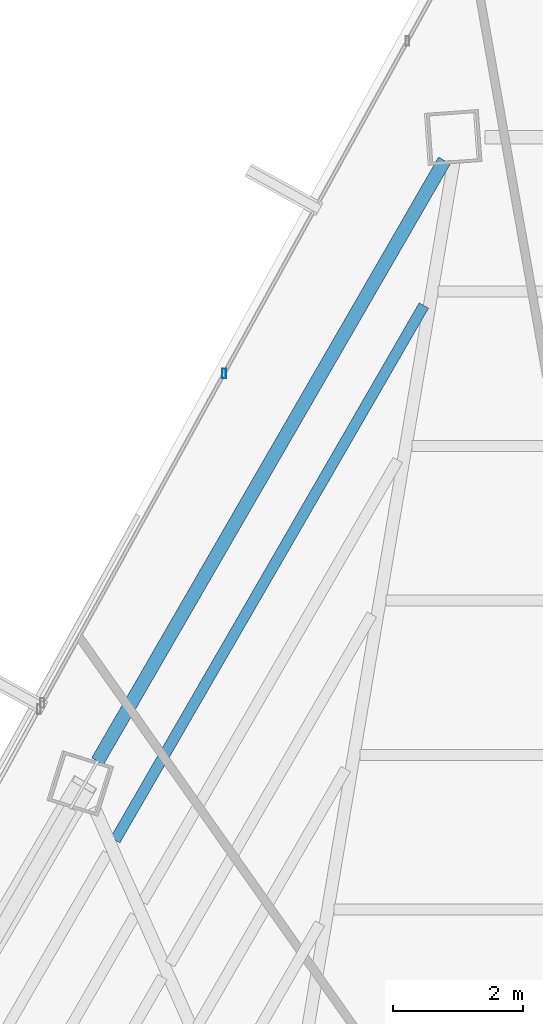
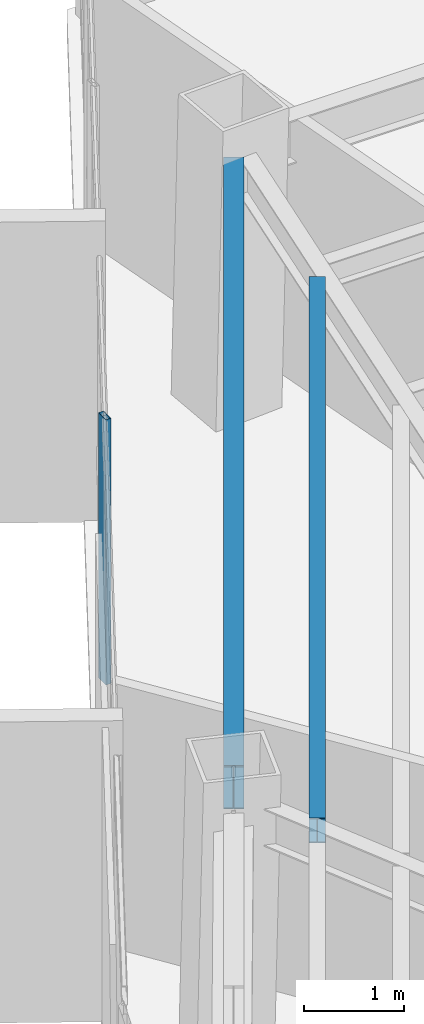
# One storey, part 29 of 40: 2 beams, 1 member, 1 element without a shape of its own.
"""IFC4 building model written with IfcOpenShell, lengths in metres."""

from ifc_helpers import new_model, si_unit, direction, frame, origin, origin_2d, place, context, subcontext, project, spatial, hollow_rectangle, i_section, extrude, source, transform, mapped, material, material_profile, profile_set, type_object, type_shapes, element, aggregate, save


model = new_model("IFC4")

# Units and contexts
model_context = context("Model", 3, precision=1e-05, world=origin(), true_north=direction((0.0, 1.0)))
body_context = subcontext(model_context, "Body", "Model", "MODEL_VIEW")
ifc_project = project(units=[si_unit("LENGTHUNIT", "METRE"), si_unit("AREAUNIT", "SQUARE_METRE"), si_unit("VOLUMEUNIT", "CUBIC_METRE"), si_unit("PLANEANGLEUNIT", "RADIAN"), si_unit("MASSUNIT", "GRAM", prefix="KILO")], contexts=[model_context])

# Site, building, storey
site_placement = place(None, origin())
site = spatial("IfcSite", under=ifc_project, at=site_placement, CompositionType="ELEMENT")
building_placement = place(site_placement, origin())
building = spatial("IfcBuilding", under=site, at=building_placement, Name="Caelisora Broadcast Tower", CompositionType="ELEMENT")
storey_placement = place(building_placement, frame((0.0, 0.0, 216.89990234375)))
storey = spatial("IfcBuildingStorey", under=building, at=storey_placement, Name="L57", CompositionType="ELEMENT", Elevation=216.89990234375)

# Beams
ifc_material_1 = material(Name="Steel Grade 350 (AS/NZS 3679.1)", Category="steel")
ifc_material_profile_1 = material_profile(ifc_material_1, i_section(OverallWidth=0.208984375, OverallDepth=0.532958984375, WebThickness=0.01025390625, FlangeThickness=0.015625, at=origin_2d()), Name="Steel Grade 350 (AS/NZS 3679.1)")
ifc_profile_set_1 = profile_set([ifc_material_profile_1], Name="Steel Grade 350 (AS/NZS 3679.1)")
beam_type_1 = type_object("IfcBeamType", Name="PG05", PredefinedType="BEAM", material=ifc_profile_set_1)
shared_shape_1 = source(origin(), body_context, "Body", "SweptSolid", [
    extrude(i_section(OverallWidth=0.208984375, OverallDepth=0.532958984375, WebThickness=0.01025390625, FlangeThickness=0.015625, at=origin_2d()), origin(), (0.0, 0.0, 1.0), 10.6552734375),
])
type_shapes(beam_type_1, [shared_shape_1])
beam_1_placement = place(storey_placement, frame((33.089599609375, 46.251220703125, 2.983642578125), z_axis=(-0.49999814194, -0.866026476533, 0.0), x_axis=(0.866026476533, -0.49999814194, 0.0)))
element("IfcBeam", 1, at=beam_1_placement, inside=storey, type_object=beam_type_1, Name="L57 beam PG05", PredefinedType="BEAM", context=body_context, shape_type="MappedRepresentation", body=[
    mapped(shared_shape_1, transform((0.0, 0.0, 0.0), scale=1.0)),
])
ifc_material_profile_2 = material_profile(ifc_material_1, i_section(OverallWidth=0.166015625, OverallDepth=0.30712890625, WebThickness=0.006591796875, FlangeThickness=0.01171875, at=origin_2d()), Name="Steel Grade 350 (AS/NZS 3679.1)")
ifc_profile_set_2 = profile_set([ifc_material_profile_2], Name="Steel Grade 350 (AS/NZS 3679.1)")
beam_type_2 = type_object("IfcBeamType", Name="SB03", PredefinedType="JOIST", material=ifc_profile_set_2)
shared_shape_2 = source(origin(), body_context, "Body", "SweptSolid", [
    extrude(i_section(OverallWidth=0.166015625, OverallDepth=0.30712890625, WebThickness=0.006591796875, FlangeThickness=0.01171875, at=origin_2d()), origin(), (0.0, 0.0, 1.0), 9.482421875),
])
type_shapes(beam_type_2, [shared_shape_2])
beam_2_placement = place(storey_placement, frame((32.773681640625, 44.0234375, 3.096435546875), z_axis=(-0.49999360837, -0.866029093962, 0.0), x_axis=(0.866029093962, -0.49999360837, 0.0)))
element("IfcBeam", 2, at=beam_2_placement, inside=storey, type_object=beam_type_2, Name="L57 beam SB03", PredefinedType="JOIST", context=body_context, shape_type="MappedRepresentation", body=[
    mapped(shared_shape_2, transform((0.0, 0.0, 0.0), scale=1.0)),
])

# Curtain wall, member
ifc_material_2 = material(Name="Unitised Aluminium and Low-E Glass Curtain Wall", Category="glass")
curtain_wall_type = type_object("IfcCurtainWallType", Name="CW-Z4", PredefinedType="NOTDEFINED", material=ifc_material_2)
curtain_wall_placement = place(storey_placement, origin())
curtain_wall = element("IfcCurtainWall", 3, at=curtain_wall_placement, inside=storey, type_object=curtain_wall_type, Name="L57 curtain wall CW-Z4", PredefinedType="NOTDEFINED")
ifc_material_3 = material(Name="Aluminium 6063-T6 Anodised Terracotta Bronze", Category="aluminium")
ifc_material_profile_3 = material_profile(ifc_material_3, hollow_rectangle(XDim=0.06005859375, YDim=0.14990234375, WallThickness=0.00341796875, at=origin_2d()), Name="Aluminium 6063-T6 Anodised Terracotta Bronze")
ifc_profile_set_3 = profile_set([ifc_material_profile_3], Name="Aluminium 6063-T6 Anodised Terracotta Bronze")
member_type = type_object("IfcMemberType", Name="CWM-03", PredefinedType="MULLION", material=ifc_profile_set_3)
shared_shape_3 = source(origin(), body_context, "Body", "SweptSolid", [
    extrude(hollow_rectangle(XDim=0.06005859375, YDim=0.14990234375, WallThickness=0.00341796875, at=origin_2d()), origin(), (0.0, 0.0, 1.0), 3.25),
])
type_shapes(member_type, [shared_shape_3])
member_placement = place(storey_placement, frame((29.7060546875, 42.981201171875, 0.0), z_axis=(0.0, 0.0, 1.0), x_axis=(1.0, 0.0, 0.0)))
member = element("IfcMember", 4, at=member_placement, type_object=member_type, Name="L57-CW-B11 mullion #1", PredefinedType="MULLION", context=body_context, shape_type="MappedRepresentation", body=[
    mapped(shared_shape_3, transform((0.0, 0.0, 0.0), scale=1.0)),
])
aggregate(curtain_wall, [member])

save(model, "model.ifc")
